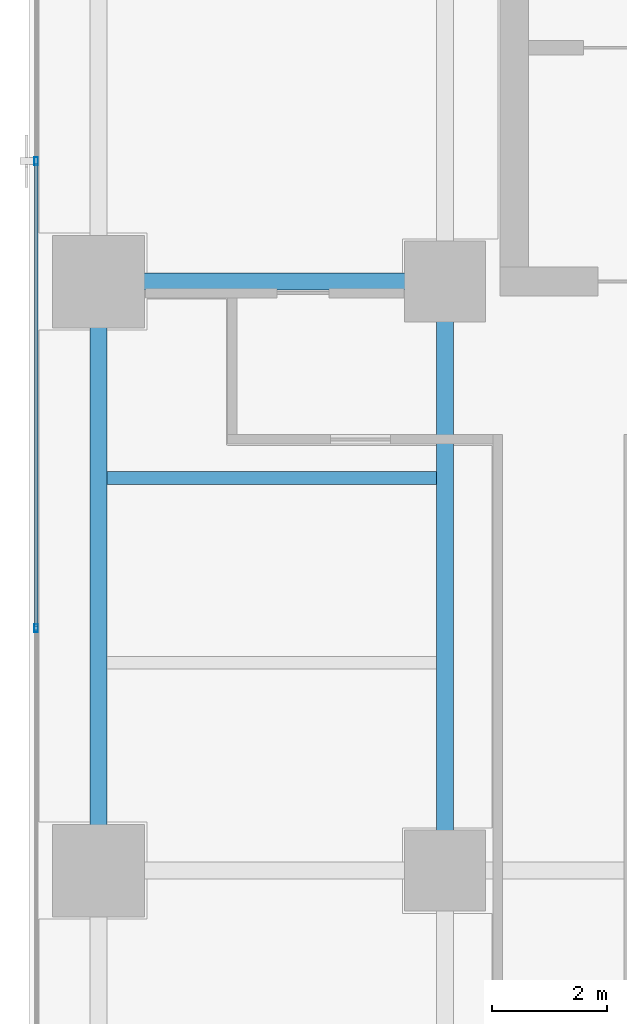
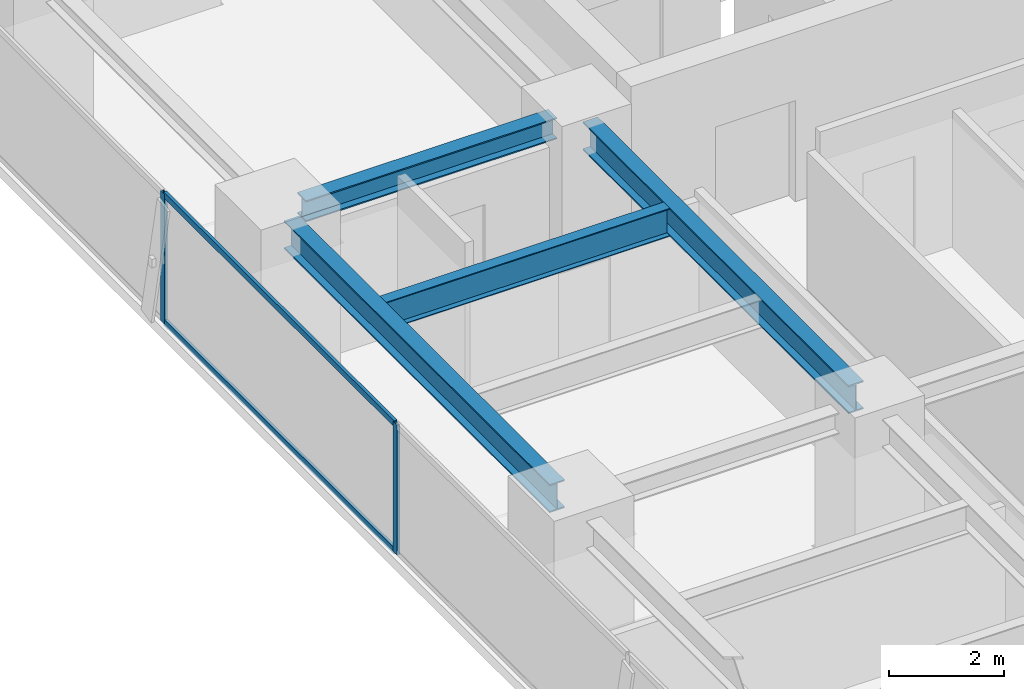
# One storey, part 8 of 31: 4 beams, 4 members, 1 element without a shape of its own.
"""IFC4 building model written with IfcOpenShell, lengths in metres."""

from ifc_helpers import new_model, si_unit, direction, frame, origin, origin_2d, place, context, subcontext, project, spatial, hollow_rectangle, i_section, extrude, source, transform, mapped, material, layer, layer_set, material_profile, profile_set, type_object, element, aggregate, save


model = new_model("IFC4")

# Units and contexts
model_context = context("Model", 3, precision=1e-05, world=origin(), true_north=direction((0.0, 1.0)))
body_context = subcontext(model_context, "Body", "Model", "MODEL_VIEW")
ifc_project = project(units=[si_unit("LENGTHUNIT", "METRE"), si_unit("AREAUNIT", "SQUARE_METRE"), si_unit("VOLUMEUNIT", "CUBIC_METRE"), si_unit("PLANEANGLEUNIT", "RADIAN"), si_unit("MASSUNIT", "GRAM", prefix="KILO")], contexts=[model_context])

# Site, building, storey
site_placement = place(None, origin())
site = spatial("IfcSite", under=ifc_project, at=site_placement, CompositionType="ELEMENT")
building_placement = place(site_placement, origin())
building = spatial("IfcBuilding", under=site, at=building_placement, Name="Sumidabori Civic Tower", CompositionType="ELEMENT")
storey_placement = place(building_placement, frame((0.0, 0.0, 221.60009765625)))
storey = spatial("IfcBuildingStorey", under=building, at=storey_placement, Name="L57", CompositionType="ELEMENT", Elevation=221.60009765625)

# Beams
ifc_material_1 = material(Name="Steel SN490", Category="steel")
ifc_material_profile_1 = material_profile(ifc_material_1, i_section(OverallWidth=0.300048828125, OverallDepth=0.60009765625, WebThickness=0.015380859375, FlangeThickness=0.030029296875, at=origin_2d()), Name="HE 600 B")
ifc_profile_set_1 = profile_set([ifc_material_profile_1], Name="Steel SN490")
beam_type_1 = type_object("IfcBeamType", Name="BM-GIRD-600", PredefinedType="BEAM", material=ifc_profile_set_1)
shared_shape_1 = source(origin(), body_context, "Body", "SweptSolid", [
    extrude(i_section(OverallWidth=0.300048828125, OverallDepth=0.60009765625, WebThickness=0.015380859375, FlangeThickness=0.030029296875, at=origin_2d()), origin(), (0.0, 0.0, 1.0), 9.239990234375),
])
for number, where, z_axis, x_axis, name in (
    (1, (-22.800048828125, 0.47998046875, 3.079833984375), (0.0, 1.0, 0.0), (-1.0, 0.0, 0.0), "Primary Girder L57 GY-12"),
    (2, (-16.800048828125, 0.47998046875, 3.079833984375), (0.0, 1.0, 0.0), (-1.0, 0.0, 0.0), "Primary Girder L57 GY-15"),
):
    element("IfcBeam", number, at=place(storey_placement, frame(where, z_axis=z_axis, x_axis=x_axis)), inside=storey, type_object=beam_type_1, Name=name, PredefinedType="BEAM", context=body_context, shape_type="MappedRepresentation", body=[
        mapped(shared_shape_1, transform((0.0, 0.0, 0.0), x_axis=(1.0, 0.0, 0.0), y_axis=(0.0, 1.0, 0.0), z_axis=(0.0, 0.0, 1.0), scale=1.0)),
    ])
ifc_material_profile_2 = material_profile(ifc_material_1, i_section(OverallWidth=0.219970703125, OverallDepth=0.60009765625, WebThickness=0.011962890625, FlangeThickness=0.01904296875, at=origin_2d()), Name="IPE 600")
ifc_profile_set_2 = profile_set([ifc_material_profile_2], Name="Steel SN490")
beam_type_2 = type_object("IfcBeamType", Name="BM-JST-600", PredefinedType="JOIST", material=ifc_profile_set_2)
shared_shape_2 = source(origin(), body_context, "Body", "SweptSolid", [
    extrude(i_section(OverallWidth=0.219970703125, OverallDepth=0.60009765625, WebThickness=0.011962890625, FlangeThickness=0.01904296875, at=origin_2d()), origin(), (0.0, 0.0, 1.0), 5.699951171875),
])
beam_1_placement = place(storey_placement, frame((-22.64990234375, 6.800048828125, 3.079833984375), z_axis=(1.0, 0.0, 0.0), x_axis=(0.0, 1.0, 0.0)))
element("IfcBeam", 3, at=beam_1_placement, inside=storey, type_object=beam_type_2, Name="Outer Bay Floor Joist L57 JSTO-31", PredefinedType="JOIST", context=body_context, shape_type="MappedRepresentation", body=[
    mapped(shared_shape_2, transform((0.0, 0.0, 0.0), x_axis=(1.0, 0.0, 0.0), y_axis=(0.0, 1.0, 0.0), z_axis=(0.0, 0.0, 1.0), scale=1.0)),
])
ifc_material_profile_3 = material_profile(ifc_material_1, i_section(OverallWidth=0.300048828125, OverallDepth=0.449951171875, WebThickness=0.013916015625, FlangeThickness=0.02587890625, at=origin_2d()), Name="HE 450 B")
ifc_profile_set_3 = profile_set([ifc_material_profile_3], Name="Steel SN490")
beam_type_3 = type_object("IfcBeamType", Name="BM-GIRD-450", PredefinedType="BEAM", material=ifc_profile_set_3)
shared_shape_3 = source(origin(), body_context, "Body", "SweptSolid", [
    extrude(i_section(OverallWidth=0.300048828125, OverallDepth=0.449951171875, WebThickness=0.013916015625, FlangeThickness=0.02587890625, at=origin_2d()), origin(), (0.0, 0.0, 1.0), 5.0400390625),
])
beam_2_placement = place(storey_placement, frame((-22.320068359375, 10.199951171875, 3.15478515625), z_axis=(1.0, 0.0, 0.0), x_axis=(0.0, 1.0, 0.0)))
element("IfcBeam", 4, at=beam_2_placement, inside=storey, type_object=beam_type_3, Name="Primary Girder L57 GX-09", PredefinedType="BEAM", context=body_context, shape_type="MappedRepresentation", body=[
    mapped(shared_shape_3, transform((0.0, 0.0, 0.0), x_axis=(1.0, 0.0, 0.0), y_axis=(0.0, 1.0, 0.0), z_axis=(0.0, 0.0, 1.0), scale=1.0)),
])

# Curtain wall, members
ifc_material_2 = material(Name="Anodised Bronze Aluminium AW-6063-T6", Category="aluminium")
ifc_layer = layer(ifc_material_2, 0.179931640625, Name="Anodised Bronze Aluminium AW-6063-T6")
ifc_layer_set = layer_set([ifc_layer], Name="Anodised Bronze Aluminium AW-6063-T6")
curtain_wall_type = type_object("IfcCurtainWallType", Name="CW-SYS-5", PredefinedType="NOTDEFINED", material=ifc_layer_set)
curtain_wall_placement = place(storey_placement, origin())
curtain_wall = element("IfcCurtainWall", 5, at=curtain_wall_placement, inside=storey, type_object=curtain_wall_type, Name="Curtain Wall CW:L57:R22", PredefinedType="NOTDEFINED")
ifc_material_profile_4 = material_profile(ifc_material_2, hollow_rectangle(XDim=0.06005859375, YDim=0.139892578125, WallThickness=0.0048828125, at=origin_2d()), Name="ALU MULLION 140x60")
ifc_profile_set_4 = profile_set([ifc_material_profile_4], Name="Anodised Bronze Aluminium AW-6063-T6")
member_type_1 = type_object("IfcMemberType", Name="CW-MUL-140", PredefinedType="MULLION", material=ifc_profile_set_4)
shared_shape_4 = source(origin(), body_context, "Body", "SweptSolid", [
    extrude(hollow_rectangle(XDim=0.06005859375, YDim=0.139892578125, WallThickness=0.0048828125, at=origin_2d()), origin(), (0.0, 0.0, 1.0), 2.760009765625),
])
member_1_placement = place(storey_placement, frame((-23.8798828125, 12.284912109375, 0.0), z_axis=(0.0, 0.0, 1.0), x_axis=(1.0, 0.0, 0.0)))
member_1 = element("IfcMember", 6, at=member_1_placement, type_object=member_type_1, Name="CW-5 mullion 2", PredefinedType="MULLION", context=body_context, shape_type="MappedRepresentation", body=[
    mapped(shared_shape_4, transform((0.0, 0.0, 0.0), x_axis=(1.0, 0.0, 0.0), y_axis=(0.0, 1.0, 0.0), z_axis=(0.0, 0.0, 1.0), scale=1.0)),
])
member_2_placement = place(storey_placement, frame((-23.8798828125, 4.199951171875, 0.0), z_axis=(0.0, 0.0, 1.0), x_axis=(1.0, 0.0, 0.0)))
member_2 = element("IfcMember", 7, at=member_2_placement, type_object=member_type_1, Name="CW-5 mullion 3", PredefinedType="MULLION", context=body_context, shape_type="MappedRepresentation", body=[
    mapped(shared_shape_4, transform((0.0, 0.0, 0.0), x_axis=(1.0, 0.0, 0.0), y_axis=(0.0, 1.0, 0.0), z_axis=(0.0, 0.0, 1.0), scale=1.0)),
])
ifc_material_profile_5 = material_profile(ifc_material_2, hollow_rectangle(XDim=0.06005859375, YDim=0.1298828125, WallThickness=0.0048828125, at=origin_2d()), Name="ALU TRANSOM 130x60")
ifc_profile_set_5 = profile_set([ifc_material_profile_5], Name="Anodised Bronze Aluminium AW-6063-T6")
member_type_2 = type_object("IfcMemberType", Name="CW-TRN-130", PredefinedType="USERDEFINED", material=ifc_profile_set_5)
shared_shape_5 = source(origin(), body_context, "Body", "SweptSolid", [
    extrude(hollow_rectangle(XDim=0.06005859375, YDim=0.1298828125, WallThickness=0.0048828125, at=origin_2d()), origin(), (0.0, 0.0, 1.0), 8.02490234375),
])
member_3_placement = place(storey_placement, frame((-23.8798828125, 12.2548828125, 0.02978515625), z_axis=(0.0, -1.0, 0.0), x_axis=(1.0, 0.0, 0.0)))
member_3 = element("IfcMember", 8, at=member_3_placement, type_object=member_type_2, Name="CW-5 transom 2.1", ObjectType="TRANSOM", PredefinedType="USERDEFINED", context=body_context, shape_type="MappedRepresentation", body=[
    mapped(shared_shape_5, transform((0.0, 0.0, 0.0), x_axis=(1.0, 0.0, 0.0), y_axis=(0.0, 1.0, 0.0), z_axis=(0.0, 0.0, 1.0), scale=1.0)),
])
member_4_placement = place(storey_placement, frame((-23.8798828125, 12.2548828125, 2.72998046875), z_axis=(0.0, -1.0, 0.0), x_axis=(1.0, 0.0, 0.0)))
member_4 = element("IfcMember", 9, at=member_4_placement, type_object=member_type_2, Name="CW-5 transom 2.2", ObjectType="TRANSOM", PredefinedType="USERDEFINED", context=body_context, shape_type="MappedRepresentation", body=[
    mapped(shared_shape_5, transform((0.0, 0.0, 0.0), x_axis=(1.0, 0.0, 0.0), y_axis=(0.0, 1.0, 0.0), z_axis=(0.0, 0.0, 1.0), scale=1.0)),
])
aggregate(curtain_wall, [member_1, member_2, member_3, member_4])

save(model, "model.ifc")
